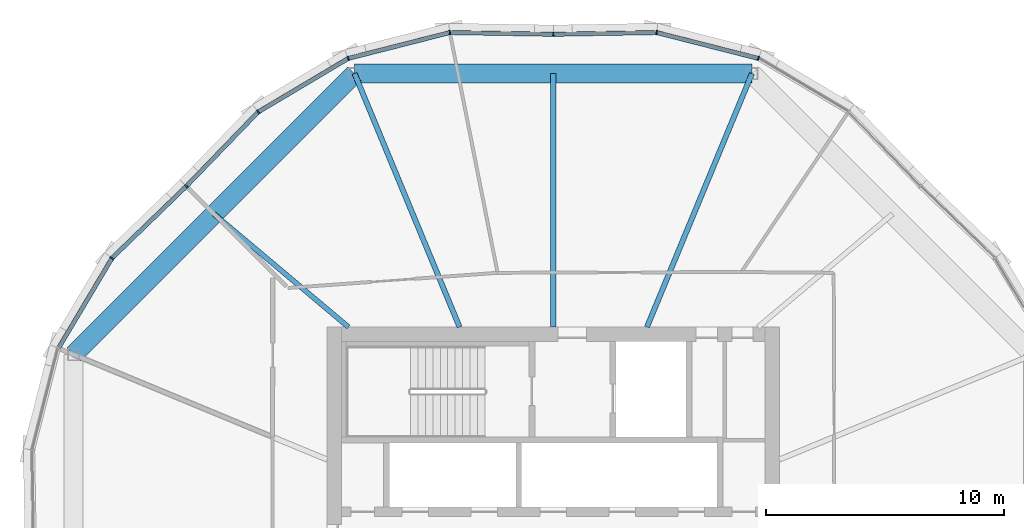
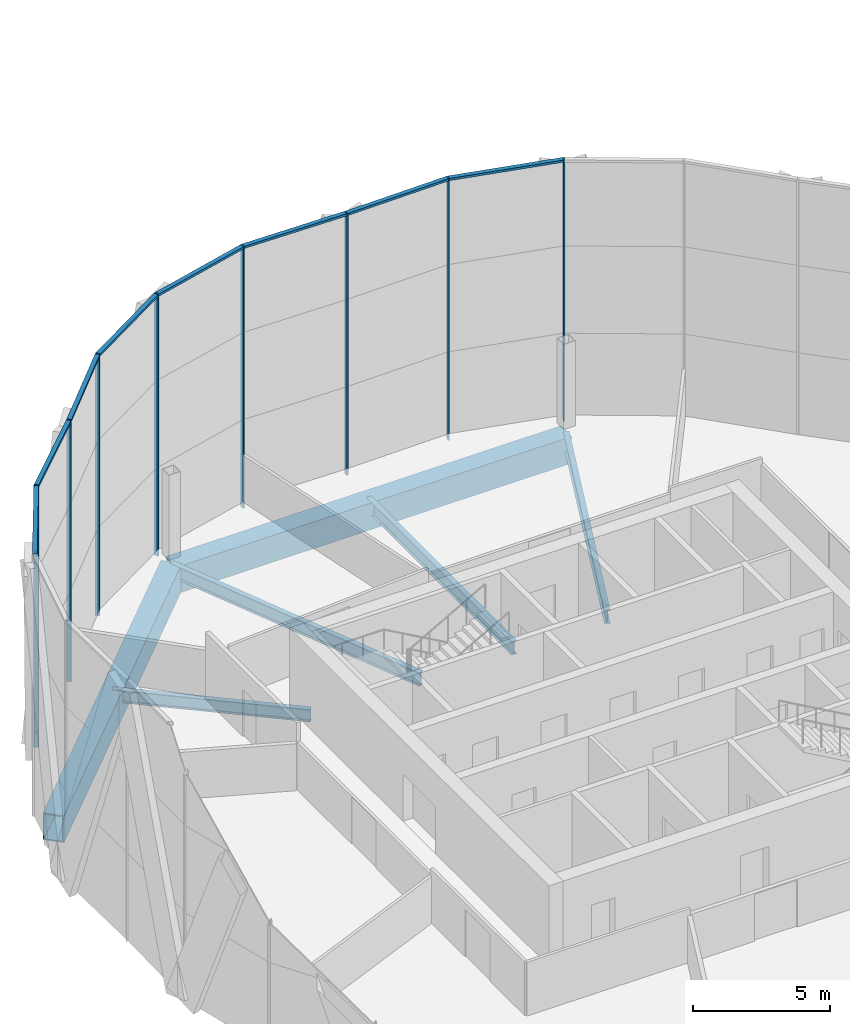
# One storey, part 6 of 23: 16 members, 6 beams, 3 elements without a shape of their own.
"""IFC4 building model written with IfcOpenShell, lengths in metres."""

from ifc_helpers import new_model, si_unit, direction, frame, origin, origin_2d, place, context, subcontext, project, spatial, rectangle, hollow_rectangle, i_section, extrude, material, material_profile, profile_set, type_object, element, aggregate, save


model = new_model("IFC4")

# Units and contexts
model_context = context("Model", 3, precision=1e-05, world=origin(), true_north=direction((0.0, 1.0)))
body_context = subcontext(model_context, "Body", "Model", "MODEL_VIEW")
ifc_project = project(units=[si_unit("LENGTHUNIT", "METRE"), si_unit("AREAUNIT", "SQUARE_METRE"), si_unit("VOLUMEUNIT", "CUBIC_METRE"), si_unit("PLANEANGLEUNIT", "RADIAN"), si_unit("MASSUNIT", "GRAM", prefix="KILO")], contexts=[model_context])

# Site, building, storey
site_placement = place(None, origin())
site = spatial("IfcSite", under=ifc_project, at=site_placement, CompositionType="ELEMENT")
building_placement = place(site_placement, origin())
building = spatial("IfcBuilding", under=site, at=building_placement, Name="Ogive Gate Towers", CompositionType="ELEMENT")
storey_placement = place(building_placement, frame((0.0, 0.0, 177.300048828125)))
storey = spatial("IfcBuildingStorey", under=building, at=storey_placement, Name="L42", CompositionType="ELEMENT", Elevation=177.300048828125)

# Beams
ifc_material_1 = material(Name="Steel SM460", Category="steel")
ifc_material_profile_1 = material_profile(ifc_material_1, hollow_rectangle(XDim=0.800048828125, YDim=1.199951171875, WallThickness=0.050048828125, at=origin_2d()), Name="BX 1200x800x50")
ifc_profile_set_1 = profile_set([ifc_material_profile_1], Name="Steel SM460")
beam_type_1 = type_object("IfcBeamType", Name="Edge girder BX 1200x800x50", PredefinedType="BEAM", material=ifc_profile_set_1)
beam_1_placement = place(storey_placement, frame((-27.653564453125, 20.14990234375, -0.900146484375), z_axis=(-1.0, 0.0, 0.0), x_axis=(0.0, -1.0, 0.0)))
element("IfcBeam", 1, at=beam_1_placement, inside=storey, type_object=beam_type_1, Name="T1/L42/SBM022", PredefinedType="BEAM", context=body_context, shape_type="SweptSolid", body=[
    extrude(hollow_rectangle(XDim=0.800048828125, YDim=1.199951171875, WallThickness=0.050048828125, at=origin_2d()), origin(), (0.0, 0.0, 1.0), 16.69287109375),
])
beam_2_placement = place(storey_placement, frame((-44.346435546875, 20.14990234375, -0.900146484375), z_axis=(-0.707106781187, -0.707106781187, 0.0), x_axis=(0.707106781187, -0.707106781187, 0.0)))
element("IfcBeam", 2, at=beam_2_placement, inside=storey, type_object=beam_type_1, Name="T1/L42/SBM023", PredefinedType="BEAM", context=body_context, shape_type="SweptSolid", body=[
    extrude(hollow_rectangle(XDim=0.800048828125, YDim=1.199951171875, WallThickness=0.050048828125, at=origin_2d()), origin(), (0.0, 0.0, 1.0), 16.692626953125),
])
ifc_material_2 = material(Name="Steel SM355", Category="steel")
ifc_material_profile_2 = material_profile(ifc_material_2, i_section(OverallWidth=0.2099609375, OverallDepth=0.550048828125, WebThickness=0.010986328125, FlangeThickness=0.01708984375, FilletRadius=0.02392578125, at=origin_2d()), Name="IPE 550")
ifc_profile_set_2 = profile_set([ifc_material_profile_2], Name="Steel SM355")
beam_type_2 = type_object("IfcBeamType", Name="Radial floor beam IPE 550", PredefinedType="BEAM", material=ifc_profile_set_2)
beam_3_placement = place(storey_placement, frame((-44.60009765625, 9.5, -0.574951171875), z_axis=(-0.76545320234, 0.643491565622, 0.0), x_axis=(-0.643491565622, -0.76545320234, 0.0)))
element("IfcBeam", 3, at=beam_3_placement, inside=storey, type_object=beam_type_2, Name="T1/L42/SBM014", PredefinedType="BEAM", context=body_context, shape_type="SweptSolid", body=[
    extrude(i_section(OverallWidth=0.2099609375, OverallDepth=0.550048828125, WebThickness=0.010986328125, FlangeThickness=0.01708984375, FilletRadius=0.02392578125, at=origin_2d()), origin(), (0.0, 0.0, 1.0), 7.378662109375),
])
ifc_material_profile_3 = material_profile(ifc_material_2, i_section(OverallWidth=0.219970703125, OverallDepth=0.60009765625, WebThickness=0.011962890625, FlangeThickness=0.01904296875, FilletRadius=0.02392578125, at=origin_2d()), Name="IPE 600")
ifc_profile_set_3 = profile_set([ifc_material_profile_3], Name="Steel SM355")
beam_type_3 = type_object("IfcBeamType", Name="Radial floor beam IPE 600", PredefinedType="BEAM", material=ifc_profile_set_3)
beam_4_placement = place(storey_placement, frame((-32.06494140625, 9.5, -0.60009765625), z_axis=(0.382686613691, 0.923878214756, 0.0), x_axis=(-0.923878214756, 0.382686613691, 0.0)))
element("IfcBeam", 4, at=beam_4_placement, inside=storey, type_object=beam_type_3, Name="T1/L42/SBM011", PredefinedType="BEAM", context=body_context, shape_type="SweptSolid", body=[
    extrude(i_section(OverallWidth=0.219970703125, OverallDepth=0.60009765625, WebThickness=0.011962890625, FlangeThickness=0.01904296875, FilletRadius=0.02392578125, at=origin_2d()), origin(), (0.0, 0.0, 1.0), 11.52734375),
])
beam_5_placement = place(storey_placement, frame((-36.0, 9.5, -0.60009765625), z_axis=(0.0, 1.0, 0.0), x_axis=(-1.0, 0.0, 0.0)))
element("IfcBeam", 5, at=beam_5_placement, inside=storey, type_object=beam_type_3, Name="T1/L42/SBM012", PredefinedType="BEAM", context=body_context, shape_type="SweptSolid", body=[
    extrude(i_section(OverallWidth=0.219970703125, OverallDepth=0.60009765625, WebThickness=0.011962890625, FlangeThickness=0.01904296875, FilletRadius=0.02392578125, at=origin_2d()), origin(), (0.0, 0.0, 1.0), 10.64990234375),
])
beam_6_placement = place(storey_placement, frame((-39.93505859375, 9.5, -0.60009765625), z_axis=(-0.382686613691, 0.923878214756, 0.0), x_axis=(-0.923878214756, -0.382686613691, 0.0)))
element("IfcBeam", 6, at=beam_6_placement, inside=storey, type_object=beam_type_3, Name="T1/L42/SBM013", PredefinedType="BEAM", context=body_context, shape_type="SweptSolid", body=[
    extrude(i_section(OverallWidth=0.219970703125, OverallDepth=0.60009765625, WebThickness=0.011962890625, FlangeThickness=0.01904296875, FilletRadius=0.02392578125, at=origin_2d()), origin(), (0.0, 0.0, 1.0), 11.52734375),
])

# Curtain wall, members
ifc_material_3 = material(Name="Pale metal aluminium", Category="aluminium")
curtain_wall_type = type_object("IfcCurtainWallType", Name="Tower unitised wall, high zone", PredefinedType="NOTDEFINED", material=ifc_material_3)
curtain_wall_1_placement = place(storey_placement, origin())
curtain_wall_1 = element("IfcCurtainWall", 7, at=curtain_wall_1_placement, inside=storey, type_object=curtain_wall_type, Name="CW2 T1 ECW02", PredefinedType="NOTDEFINED")
ifc_material_profile_4 = material_profile(ifc_material_3, rectangle(XDim=0.179931640625, YDim=0.06005859375, at=origin_2d()), Name="60 x 180 aluminium box")
ifc_profile_set_4 = profile_set([ifc_material_profile_4], Name="Pale metal aluminium")
member_type_1 = type_object("IfcMemberType", Name="Tower unitised wall, high zone mullion 60 x 180", PredefinedType="MULLION", material=ifc_profile_set_4)
member_1_placement = place(storey_placement, frame((-27.38916015625, 20.788330078125, -0.300048828125), z_axis=(0.0, 0.0, 1.0), x_axis=(0.382683432365, 0.923879532511, 0.0)))
member_1 = element("IfcMember", 8, at=member_1_placement, type_object=member_type_1, Name="CW2 mullion", PredefinedType="MULLION", context=body_context, shape_type="SweptSolid", body=[
    extrude(rectangle(XDim=0.179931640625, YDim=0.06005859375, at=origin_2d()), origin(), (0.0, 0.0, 1.0), 11.699951171875),
])
member_2_placement = place(storey_placement, frame((-31.656494140625, 21.87353515625, -0.300048828125), z_axis=(0.0, 0.0, 1.0), x_axis=(0.115803987891, 0.993272085779, 0.0)))
member_2 = element("IfcMember", 9, at=member_2_placement, type_object=member_type_1, Name="CW2 mullion", PredefinedType="MULLION", context=body_context, shape_type="SweptSolid", body=[
    extrude(rectangle(XDim=0.179931640625, YDim=0.06005859375, at=origin_2d()), origin(), (0.0, 0.0, 1.0), 11.699951171875),
])
member_3_placement = place(storey_placement, frame((-35.999755859375, 21.800048828125, -0.300048828125), z_axis=(0.0, 0.0, 1.0), x_axis=(-0.016911434246, 0.99985699147, 0.0)))
member_3 = element("IfcMember", 10, at=member_3_placement, type_object=member_type_1, Name="CW2 mullion", PredefinedType="MULLION", context=body_context, shape_type="SweptSolid", body=[
    extrude(rectangle(XDim=0.179931640625, YDim=0.06005859375, at=origin_2d()), origin(), (0.0, 0.0, 1.0), 11.699951171875),
])

curtain_wall_2_placement = place(storey_placement, origin())
curtain_wall_2 = element("IfcCurtainWall", 11, at=curtain_wall_2_placement, inside=storey, type_object=curtain_wall_type, Name="CW2 T1 ECW03", PredefinedType="NOTDEFINED")
member_4_placement = place(storey_placement, frame((-40.343505859375, 21.87353515625, -0.300048828125), z_axis=(0.0, 0.0, 1.0), x_axis=(-0.115803987891, 0.993272085779, 0.0)))
member_4 = element("IfcMember", 12, at=member_4_placement, type_object=member_type_1, Name="CW2 mullion", PredefinedType="MULLION", context=body_context, shape_type="SweptSolid", body=[
    extrude(rectangle(XDim=0.179931640625, YDim=0.06005859375, at=origin_2d()), origin(), (0.0, 0.0, 1.0), 11.699951171875),
])
member_5_placement = place(storey_placement, frame((-44.61083984375, 20.788330078125, -0.300048828125), z_axis=(0.0, 0.0, 1.0), x_axis=(-0.382683432365, 0.923879532511, 0.0)))
member_5 = element("IfcMember", 13, at=member_5_placement, type_object=member_type_1, Name="CW2 mullion", PredefinedType="MULLION", context=body_context, shape_type="SweptSolid", body=[
    extrude(rectangle(XDim=0.179931640625, YDim=0.06005859375, at=origin_2d()), origin(), (0.0, 0.0, 1.0), 11.699951171875),
])
member_6_placement = place(storey_placement, frame((-48.3955078125, 18.538330078125, -0.300048828125), z_axis=(0.0, 0.0, 1.0), x_axis=(-0.620463642292, 0.784235212544, 0.0)))
member_6 = element("IfcMember", 14, at=member_6_placement, type_object=member_type_1, Name="CW2 mullion", PredefinedType="MULLION", context=body_context, shape_type="SweptSolid", body=[
    extrude(rectangle(XDim=0.179931640625, YDim=0.06005859375, at=origin_2d()), origin(), (0.0, 0.0, 1.0), 11.699951171875),
])
member_7_placement = place(storey_placement, frame((-51.414794921875, 15.4150390625, -0.300048828125), z_axis=(0.0, 0.0, 1.0), x_axis=(-0.71896384872, 0.69504746905, 0.0)))
member_7 = element("IfcMember", 15, at=member_7_placement, type_object=member_type_1, Name="CW2 mullion", PredefinedType="MULLION", context=body_context, shape_type="SweptSolid", body=[
    extrude(rectangle(XDim=0.179931640625, YDim=0.06005859375, at=origin_2d()), origin(), (0.0, 0.0, 1.0), 11.699951171875),
])

# Curtain wall, member
curtain_wall_3_placement = place(storey_placement, origin())
curtain_wall_3 = element("IfcCurtainWall", 16, at=curtain_wall_3_placement, inside=storey, type_object=curtain_wall_type, Name="CW2 T1 ECW04", PredefinedType="NOTDEFINED")
member_8_placement = place(storey_placement, frame((-54.538330078125, 12.3955078125, -0.300048828125), z_axis=(0.0, 0.0, 1.0), x_axis=(-0.784235212544, 0.620463642292, 0.0)))
member_8 = element("IfcMember", 17, at=member_8_placement, type_object=member_type_1, Name="CW2 mullion", PredefinedType="MULLION", context=body_context, shape_type="SweptSolid", body=[
    extrude(rectangle(XDim=0.179931640625, YDim=0.06005859375, at=origin_2d()), origin(), (0.0, 0.0, 1.0), 11.699951171875),
])

# Member
ifc_material_profile_5 = material_profile(ifc_material_3, rectangle(XDim=0.179931640625, YDim=0.10009765625, at=origin_2d()), Name="100 x 180 aluminium box")
ifc_profile_set_5 = profile_set([ifc_material_profile_5], Name="Pale metal aluminium")
member_type_2 = type_object("IfcMemberType", Name="Tower unitised wall, high zone transom 100 x 180", PredefinedType="USERDEFINED", material=ifc_profile_set_5)
member_9_placement = place(storey_placement, frame((-27.4169921875, 20.795166015625, 11.349853515625), z_axis=(-0.969143060412, 0.246498942099, 0.0), x_axis=(-0.246498942099, -0.969143060412, 0.0)))
member_9 = element("IfcMember", 18, at=member_9_placement, type_object=member_type_2, Name="CW2 transom", ObjectType="TRANSOM", PredefinedType="USERDEFINED", context=body_context, shape_type="SweptSolid", body=[
    extrude(rectangle(XDim=0.179931640625, YDim=0.10009765625, at=origin_2d()), origin(), (0.0, 0.0, 1.0), 4.345947265625),
])

member_10_placement = place(storey_placement, frame((-31.685302734375, 21.873046875, 11.349853515625), z_axis=(-0.999856819171, -0.016921618058, 0.0), x_axis=(0.016921618058, -0.999856819171, 0.0)))
member_10 = element("IfcMember", 19, at=member_10_placement, type_object=member_type_2, Name="CW2 transom", ObjectType="TRANSOM", PredefinedType="USERDEFINED", context=body_context, shape_type="SweptSolid", body=[
    extrude(rectangle(XDim=0.179931640625, YDim=0.10009765625, at=origin_2d()), origin(), (0.0, 0.0, 1.0), 4.28515625),
])

aggregate(curtain_wall_1, [member_1, member_2, member_9, member_3, member_10])

member_11_placement = place(storey_placement, frame((-36.0302734375, 21.800537109375, 11.349853515625), z_axis=(-0.999856819171, 0.016921618058, 0.0), x_axis=(-0.016921618058, -0.999856819171, 0.0)))
member_11 = element("IfcMember", 20, at=member_11_placement, type_object=member_type_2, Name="CW2 transom", ObjectType="TRANSOM", PredefinedType="USERDEFINED", context=body_context, shape_type="SweptSolid", body=[
    extrude(rectangle(XDim=0.179931640625, YDim=0.10009765625, at=origin_2d()), origin(), (0.0, 0.0, 1.0), 4.28515625),
])

member_12_placement = place(storey_placement, frame((-40.37109375, 21.866455078125, 11.349853515625), z_axis=(-0.969143060412, -0.246498942099, 0.0), x_axis=(0.246498942099, -0.969143060412, 0.0)))
member_12 = element("IfcMember", 21, at=member_12_placement, type_object=member_type_2, Name="CW2 transom", ObjectType="TRANSOM", PredefinedType="USERDEFINED", context=body_context, shape_type="SweptSolid", body=[
    extrude(rectangle(XDim=0.179931640625, YDim=0.10009765625, at=origin_2d()), origin(), (0.0, 0.0, 1.0), 4.345947265625),
])

member_13_placement = place(storey_placement, frame((-44.63525390625, 20.773681640625, 11.349853515625), z_axis=(-0.859557897045, -0.511038375885, 0.0), x_axis=(0.511038375885, -0.859557897045, 0.0)))
member_13 = element("IfcMember", 22, at=member_13_placement, type_object=member_type_2, Name="CW2 transom", ObjectType="TRANSOM", PredefinedType="USERDEFINED", context=body_context, shape_type="SweptSolid", body=[
    extrude(rectangle(XDim=0.179931640625, YDim=0.10009765625, at=origin_2d()), origin(), (0.0, 0.0, 1.0), 4.345947265625),
])

member_14_placement = place(storey_placement, frame((-48.41552734375, 18.517578125, 11.349853515625), z_axis=(-0.695041730351, -0.718969396477, 0.0), x_axis=(0.718969396477, -0.695041730351, 0.0)))
member_14 = element("IfcMember", 23, at=member_14_placement, type_object=member_type_2, Name="CW2 transom", ObjectType="TRANSOM", PredefinedType="USERDEFINED", context=body_context, shape_type="SweptSolid", body=[
    extrude(rectangle(XDim=0.179931640625, YDim=0.10009765625, at=origin_2d()), origin(), (0.0, 0.0, 1.0), 4.285400390625),
])

aggregate(curtain_wall_2, [member_4, member_11, member_5, member_12, member_6, member_13, member_7, member_14])

member_15_placement = place(storey_placement, frame((-51.4365234375, 15.39404296875, 11.349853515625), z_axis=(-0.718969396477, -0.695041730351, 0.0), x_axis=(0.695041730351, -0.718969396477, 0.0)))
member_15 = element("IfcMember", 24, at=member_15_placement, type_object=member_type_2, Name="CW2 transom", ObjectType="TRANSOM", PredefinedType="USERDEFINED", context=body_context, shape_type="SweptSolid", body=[
    extrude(rectangle(XDim=0.179931640625, YDim=0.10009765625, at=origin_2d()), origin(), (0.0, 0.0, 1.0), 4.285400390625),
])

member_16_placement = place(storey_placement, frame((-54.552734375, 12.370849609375, 11.349853515625), z_axis=(-0.511038375885, -0.859557897045, 0.0), x_axis=(0.859557897045, -0.511038375885, 0.0)))
member_16 = element("IfcMember", 25, at=member_16_placement, type_object=member_type_2, Name="CW2 transom", ObjectType="TRANSOM", PredefinedType="USERDEFINED", context=body_context, shape_type="SweptSolid", body=[
    extrude(rectangle(XDim=0.179931640625, YDim=0.10009765625, at=origin_2d()), origin(), (0.0, 0.0, 1.0), 4.345947265625),
])

aggregate(curtain_wall_3, [member_8, member_15, member_16])

save(model, "model.ifc")
